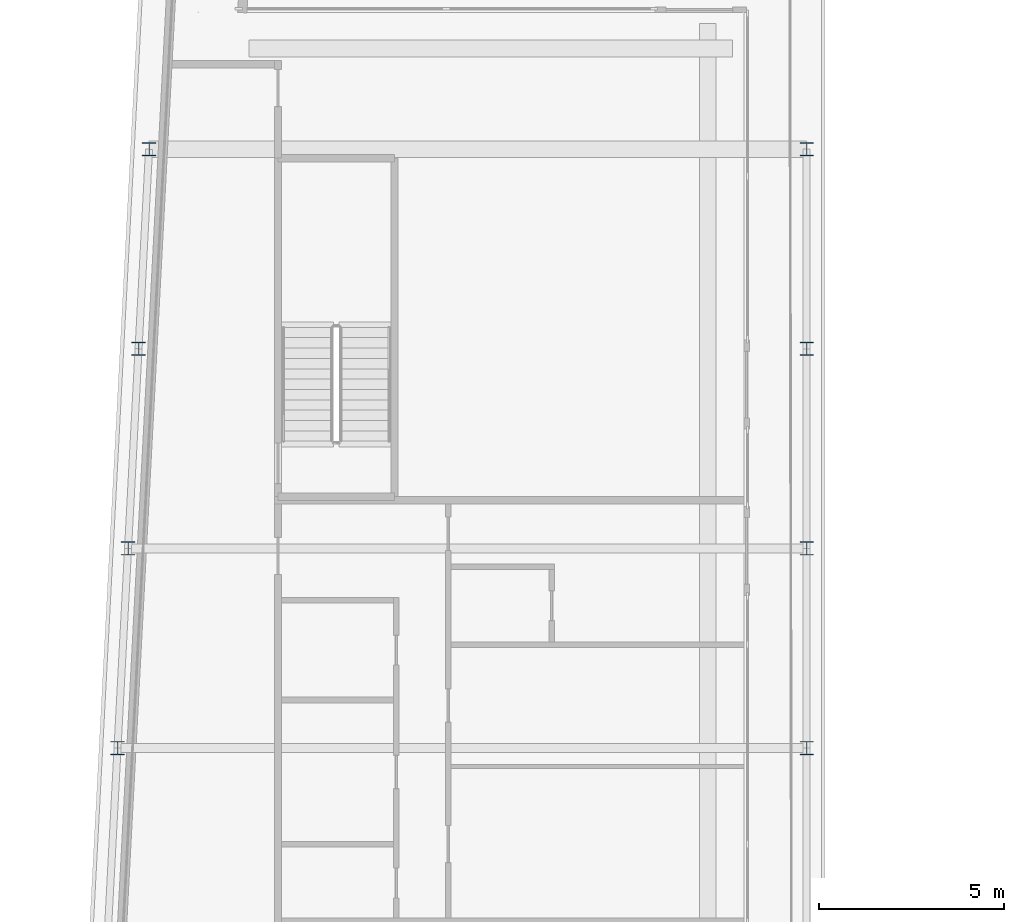
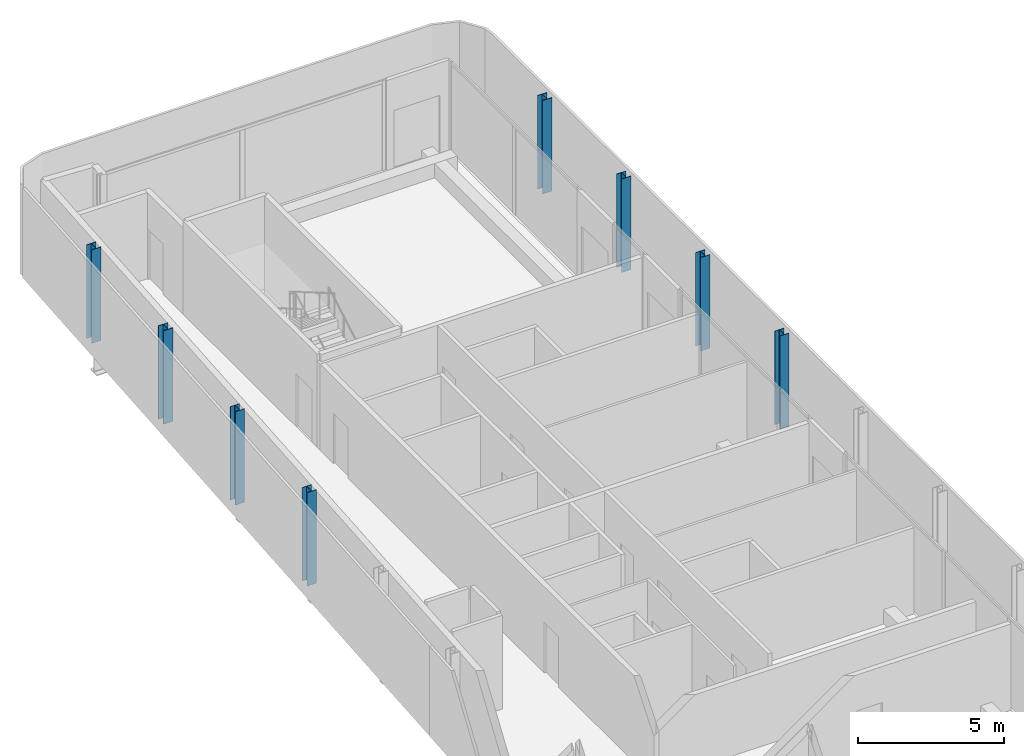
# One storey, part 3 of 19: 8 columns.
"""IFC4 building model written with IfcOpenShell, lengths in metres."""

from ifc_helpers import new_model, si_unit, direction, frame, origin, origin_2d, place, context, subcontext, project, spatial, i_section, extrude, material, material_profile, profile_set, type_object, element, save


model = new_model("IFC4")

# Units and contexts
model_context = context("Model", 3, precision=1e-05, world=origin(), true_north=direction((0.0, 1.0)))
body_context = subcontext(model_context, "Body", "Model", "MODEL_VIEW")
ifc_project = project(units=[si_unit("LENGTHUNIT", "METRE"), si_unit("AREAUNIT", "SQUARE_METRE"), si_unit("VOLUMEUNIT", "CUBIC_METRE"), si_unit("PLANEANGLEUNIT", "RADIAN"), si_unit("MASSUNIT", "GRAM", prefix="KILO")], contexts=[model_context])

# Site, building, storey
site_placement = place(None, origin())
site = spatial("IfcSite", under=ifc_project, at=site_placement, CompositionType="ELEMENT")
building_placement = place(site_placement, origin())
building = spatial("IfcBuilding", under=site, at=building_placement, Name="Kheshtan School and Residences Tower", CompositionType="ELEMENT")
storey_placement = place(building_placement, frame((0.0, 0.0, 350.0)))
storey = spatial("IfcBuildingStorey", under=building, at=storey_placement, Name="L82", CompositionType="ELEMENT", Elevation=350.0)

# Columns
ifc_material = material(Name="Steel ASTM A992 Grade 50", Category="steel")
ifc_material_profile = material_profile(ifc_material, i_section(OverallWidth=0.37109375, OverallDepth=0.364013671875, WebThickness=0.01318359375, FlangeThickness=0.021728515625, FilletRadius=0.010986328125, at=origin_2d()), Name="W360x162")
ifc_profile_set = profile_set([ifc_material_profile], Name="Steel ASTM A992 Grade 50")
column_type = type_object("IfcColumnType", Name="Column C6 W360x162 ASTM A992 Grade 50", PredefinedType="COLUMN", material=ifc_profile_set)
for number, where, z_axis, x_axis, name in (
    (1, (28.9580078125, 72.60009765625, 0.0), (0.0, 0.0, 1.0), (1.0, 0.0, 0.0), "Column C086"),
    (2, (47.60009765625, 72.60009765625, 0.0), (0.0, 0.0, 1.0), (1.0, 0.0, 0.0), "Column C087"),
    (3, (29.242919921875, 78.0, 0.0), (0.0, 0.0, 1.0), (1.0, 0.0, 0.0), "Column C088"),
    (4, (47.60009765625, 78.0, 0.0), (0.0, 0.0, 1.0), (1.0, 0.0, 0.0), "Column C089"),
    (5, (29.527099609375, 83.39990234375, 0.0), (0.0, 0.0, 1.0), (1.0, 0.0, 0.0), "Column C090"),
    (6, (47.60009765625, 83.39990234375, 0.0), (0.0, 0.0, 1.0), (1.0, 0.0, 0.0), "Column C091"),
    (7, (29.81103515625, 88.800048828125, 0.0), (0.0, 0.0, 1.0), (1.0, 0.0, 0.0), "Column C098"),
    (8, (47.60009765625, 88.800048828125, 0.0), (0.0, 0.0, 1.0), (1.0, 0.0, 0.0), "Column C099"),
):
    element("IfcColumn", number, at=place(storey_placement, frame(where, z_axis=z_axis, x_axis=x_axis)), inside=storey, type_object=column_type, Name=name, PredefinedType="COLUMN", context=body_context, shape_type="SweptSolid", body=[
        extrude(i_section(OverallWidth=0.37109375, OverallDepth=0.364013671875, WebThickness=0.01318359375, FlangeThickness=0.021728515625, FilletRadius=0.010986328125, at=origin_2d()), origin(), (0.0, 0.0, 1.0), 3.89990234375),
    ])

save(model, "model.ifc")
